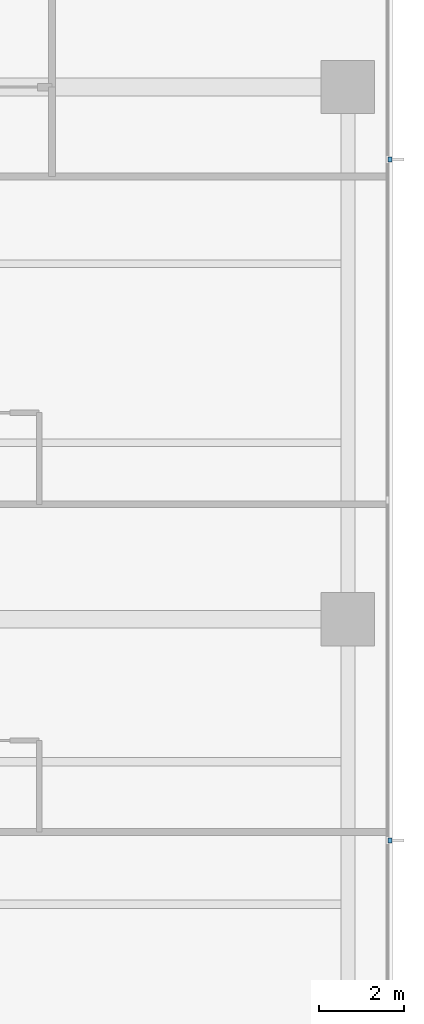
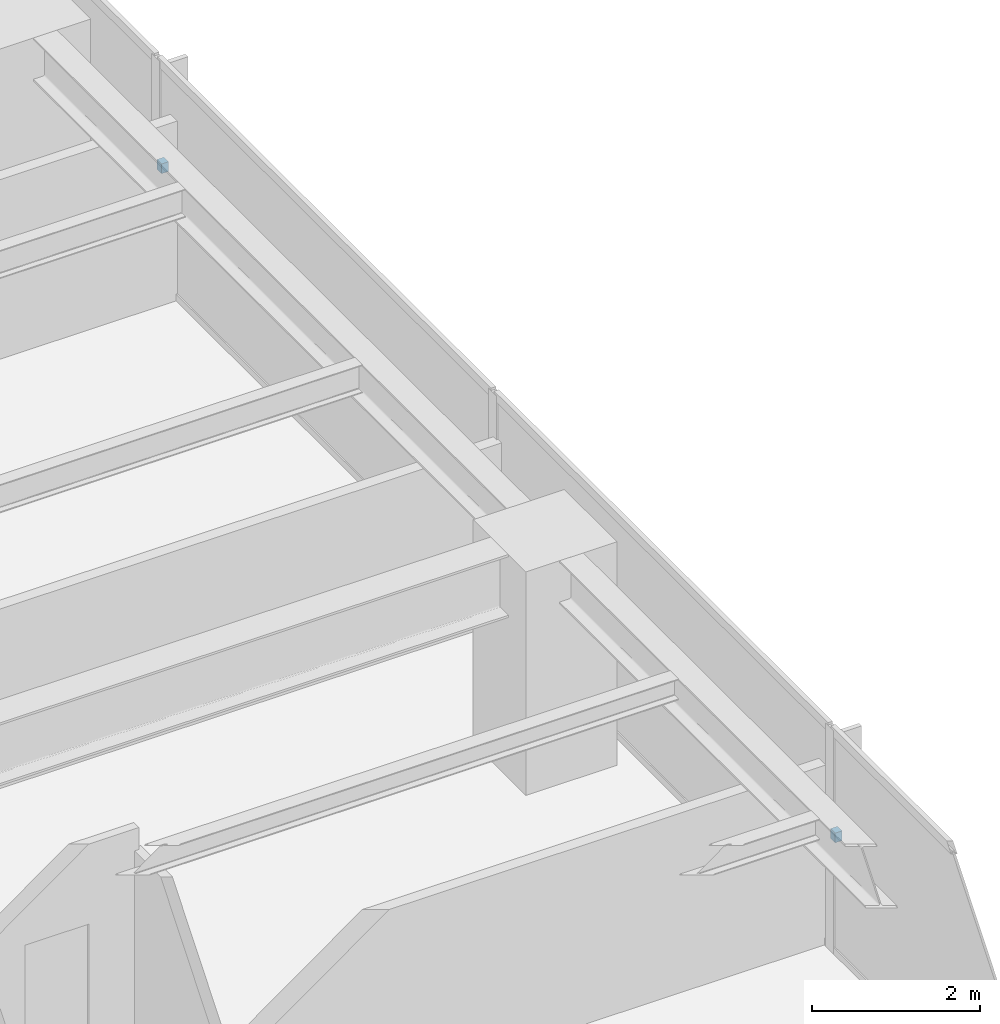
# One storey, part 14 of 17: 2 discrete accessories.
"""IFC4 building model written with IfcOpenShell, lengths in metres."""

from ifc_helpers import new_model, si_unit, direction, frame, origin, place, context, subcontext, project, spatial, polyline, outline, extrude, material, type_object, element, save


model = new_model("IFC4")

# Units and contexts
model_context = context("Model", 3, precision=1e-05, world=origin(), true_north=direction((0.0, 1.0)))
body_context = subcontext(model_context, "Body", "Model", "MODEL_VIEW")
ifc_project = project(units=[si_unit("LENGTHUNIT", "METRE"), si_unit("AREAUNIT", "SQUARE_METRE"), si_unit("VOLUMEUNIT", "CUBIC_METRE"), si_unit("PLANEANGLEUNIT", "RADIAN"), si_unit("MASSUNIT", "GRAM", prefix="KILO")], contexts=[model_context])

# Site, building, storey
site_placement = place(None, origin())
site = spatial("IfcSite", under=ifc_project, at=site_placement, CompositionType="ELEMENT")
building_placement = place(site_placement, origin())
building = spatial("IfcBuilding", under=site, at=building_placement, Name="Qalmaran Belvedere Hotel", CompositionType="ELEMENT")
storey_placement = place(building_placement, frame((0.0, 0.0, 116.199951171875)))
storey = spatial("IfcBuildingStorey", under=building, at=storey_placement, Name="L29", CompositionType="ELEMENT", Elevation=116.199951171875)

# Discrete accessories
ifc_material = material(Name="Stainless Steel 1.4401", Category="steel")
discrete_accessory_type = type_object("IfcDiscreteAccessoryType", Name="BRK-FIN-SS316", PredefinedType="BRACKET", material=ifc_material)
discrete_accessory_1_placement = place(storey_placement, frame((0.0, 0.0, 1.570068359375)))
element("IfcDiscreteAccessory", 1, at=discrete_accessory_1_placement, inside=storey, type_object=discrete_accessory_type, Name="L29 Fin Bracket 1", PredefinedType="BRACKET", context=body_context, shape_type="SweptSolid", body=[
    extrude(outline(polyline([(58.89501953125, 15.2451171875), (58.989990234375, 15.2451171875), (58.989990234375, 15.35498046875), (58.89501953125, 15.35498046875), (58.89501953125, 15.2451171875)])), origin(), (0.0, 0.0, 1.0), 0.139892578125),
])
discrete_accessory_2_placement = place(storey_placement, frame((0.0, 0.0, 1.570068359375)))
element("IfcDiscreteAccessory", 2, at=discrete_accessory_2_placement, inside=storey, type_object=discrete_accessory_type, Name="L29 Fin Bracket 3", PredefinedType="BRACKET", context=body_context, shape_type="SweptSolid", body=[
    extrude(outline(polyline([(58.89501953125, 31.2451171875), (58.989990234375, 31.2451171875), (58.989990234375, 31.35498046875), (58.89501953125, 31.35498046875), (58.89501953125, 31.2451171875)])), origin(), (0.0, 0.0, 1.0), 0.139892578125),
])

save(model, "model.ifc")
